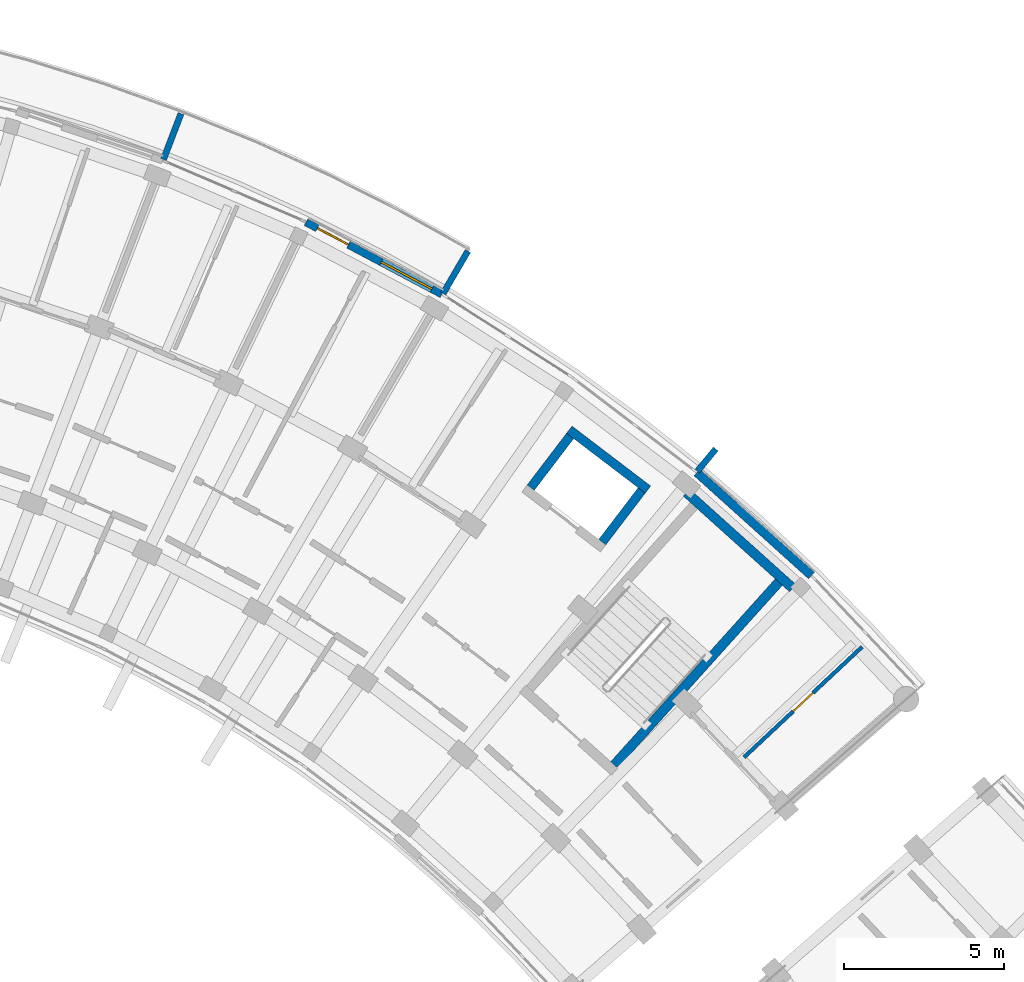
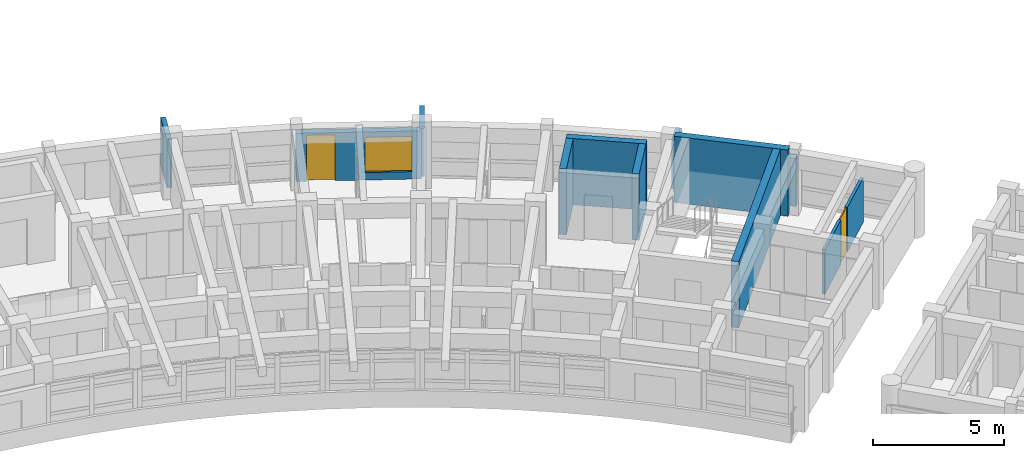
# One storey, part 37 of 55: 11 walls, 2 doors, 1 window, 3 openings.
"""IFC4 building model written with IfcOpenShell, lengths in metres."""

from ifc_helpers import new_model, si_unit, direction, frame, frame_2d, origin, place, context, subcontext, project, spatial, rectangle, extrude, material, layer, layer_set, type_object, element, fill, save


model = new_model("IFC4")

# Units and contexts
model_context = context("Model", 3, precision=1e-05, world=origin(), true_north=direction((0.0, 1.0)))
body_context = subcontext(model_context, "Body", "Model", "MODEL_VIEW")
ifc_project = project(units=[si_unit("LENGTHUNIT", "METRE"), si_unit("AREAUNIT", "SQUARE_METRE"), si_unit("VOLUMEUNIT", "CUBIC_METRE"), si_unit("PLANEANGLEUNIT", "RADIAN"), si_unit("MASSUNIT", "GRAM", prefix="KILO")], contexts=[model_context])

# Site, building, storey
site_placement = place(None, origin())
site = spatial("IfcSite", under=ifc_project, at=site_placement, CompositionType="ELEMENT")
building_placement = place(site_placement, origin())
building = spatial("IfcBuilding", under=site, at=building_placement, Name="Zimvara Arc Housing Community", CompositionType="ELEMENT")
storey_placement = place(building_placement, frame((0.0, 0.0, 14.300048828125)))
storey = spatial("IfcBuildingStorey", under=building, at=storey_placement, Name="L04", CompositionType="ELEMENT", Elevation=14.300048828125)

# Wall, openings, door, window
ifc_material_1 = material(Name="Board-Marked Fair-Faced Concrete C35/45", Category="concrete")
ifc_layer_1 = layer(ifc_material_1, 0.239990234375)
ifc_layer_set_1 = layer_set([ifc_layer_1], Name="Board-Marked Fair-Faced Concrete C35/45")
wall_type_1 = type_object("IfcWallType", Name="EWL-CONC-240", PredefinedType="SOLIDWALL", material=ifc_layer_set_1)
wall_1_placement = place(storey_placement, frame((70.6748046875, 98.04150390625, 0.0), z_axis=(0.0, 0.0, 1.0), x_axis=(0.883448093208, -0.468529045639, 0.0)))
wall_1 = element("IfcWall", 1, at=wall_1_placement, inside=storey, type_object=wall_type_1, Name="ewall:blkB:L04:out:b5", PredefinedType="SOLIDWALL", context=body_context, shape_type="SweptSolid", body=[
    extrude(rectangle(XDim=4.80908203125, YDim=0.239990234375, at=frame_2d((2.404541015625, 0.0))), origin(), (0.0, 0.0, 1.0), 2.25),
])
opening_1_placement = place(wall_1_placement, frame((0.39990234375, 0.0, 0.0)))
opening_1 = element("IfcOpeningElement", 2, at=opening_1_placement, cuts=wall_1, Name="Opening ED06", PredefinedType="OPENING", context=body_context, shape_type="SweptSolid", body=[
    extrude(rectangle(XDim=1.10009765625, YDim=2.14990234375, at=frame_2d((0.550048828125, 1.074951171875))), frame((0.0, 0.1298828125, 0.0), z_axis=(0.0, -1.0, 0.0), x_axis=(1.0, 0.0, 0.0)), (0.0, 0.0, 1.0), 0.260009765625),
])
opening_2_placement = place(wall_1_placement, frame((2.658935546875, 0.0, 0.35009765625)))
opening_2 = element("IfcOpeningElement", 3, at=opening_2_placement, cuts=wall_1, Name="Opening W08", PredefinedType="OPENING", context=body_context, shape_type="SweptSolid", body=[
    extrude(rectangle(XDim=1.800048828125, YDim=1.64990234375, at=frame_2d((0.89990234375, 0.824951171875))), frame((0.0, 0.1298828125, 0.0), z_axis=(0.0, -1.0, 0.0), x_axis=(1.0, 0.0, 0.0)), (0.0, 0.0, 1.0), 0.260009765625),
])
ifc_material_2 = material(Name="Anodised Aluminium AW-6063", Category="aluminium")
door_type_1 = type_object("IfcDoorType", Name="EDR-TERR-1100x2150", OperationType="NOTDEFINED", PredefinedType="DOOR", material=ifc_material_2)
door_1_placement = place(opening_1_placement, origin())
door_1 = element("IfcDoor", 4, at=door_1_placement, inside=storey, type_object=door_type_1, Name="edoor:blkB:L04:bal_out:b5", OperationType="SINGLE_SWING_LEFT", OverallHeight=2.14990234375, OverallWidth=1.10009765625, PredefinedType="DOOR", context=body_context, shape_type="SweptSolid", body=[
    extrude(rectangle(XDim=1.10009765625, YDim=2.14990234375, at=frame_2d((0.550048828125, 1.074951171875))), frame((0.0, 0.02490234375, 0.0), z_axis=(0.0, -1.0, 0.0), x_axis=(1.0, 0.0, 0.0)), (0.0, 0.0, 1.0), 0.050048828125),
])
fill(opening_1, door_1)
ifc_material_3 = material(Name="Solar Control Low-E Double Glazing", Category="glass")
window_type = type_object("IfcWindowType", Name="WIN-RES-1800x1650", PartitioningType="TRIPLE_PANEL_VERTICAL", PredefinedType="WINDOW", material=ifc_material_3)
window_placement = place(opening_2_placement, origin())
window = element("IfcWindow", 5, at=window_placement, inside=storey, type_object=window_type, Name="win:blkB:L04:out:b5:balw", OverallHeight=1.64990234375, OverallWidth=1.800048828125, PartitioningType="TRIPLE_PANEL_VERTICAL", PredefinedType="WINDOW", context=body_context, shape_type="SweptSolid", body=[
    extrude(rectangle(XDim=1.800048828125, YDim=1.64990234375, at=frame_2d((0.89990234375, 0.824951171875))), frame((0.0, 0.030029296875, 0.0), z_axis=(0.0, -1.0, 0.0), x_axis=(1.0, 0.0, 0.0)), (0.0, 0.0, 1.0), 0.06005859375),
])
fill(opening_2, window)

# Walls
ifc_material_4 = material(Name="Board-Marked Fair-Faced Concrete C40/50", Category="concrete")
ifc_layer_2 = layer(ifc_material_4, 0.27490234375)
ifc_layer_set_2 = layer_set([ifc_layer_2], Name="Board-Marked Fair-Faced Concrete C40/50")
wall_type_2 = type_object("IfcWallType", Name="EWL-CONC-275", PredefinedType="SOLIDWALL", material=ifc_layer_set_2)
wall_2_placement = place(storey_placement, frame((82.89697265625, 90.21337890625, 0.0), z_axis=(0.0, 0.0, 1.0), x_axis=(0.743387539862, -0.668860946369, 0.0)))
element("IfcWall", 6, at=wall_2_placement, inside=storey, type_object=wall_type_2, Name="ewall:blkB:L04:out:b8", PredefinedType="SOLIDWALL", context=body_context, shape_type="SweptSolid", body=[
    extrude(rectangle(XDim=4.80908203125, YDim=0.27490234375, at=frame_2d((2.404541015625, 0.0))), origin(), (0.0, 0.0, 1.0), 2.25),
])
ifc_material_5 = material(Name="Board-Marked Fair-Faced Concrete C35/45", Category="concrete")
ifc_layer_3 = layer(ifc_material_5, 0.195068359375)
ifc_layer_set_3 = layer_set([ifc_layer_3], Name="Board-Marked Fair-Faced Concrete C35/45")
wall_type_3 = type_object("IfcWallType", Name="EWL-PARA-195", PredefinedType="PARAPET", material=ifc_layer_set_3)
for number, where, z_axis, x_axis, name in (
    (7, (66.216796875, 100.0029296875, 0.0), (0.0, 0.0, 1.0), (0.356957296461, 0.934120703391, 0.0), "finwall:blkB:L04:out:b4"),
    (8, (74.961181640625, 95.8134765625, 0.0), (0.0, 0.0, 1.0), (0.504228145431, 0.863570481985, 0.0), "finwall:blkB:L04:out:b6"),
):
    element("IfcWall", number, at=place(storey_placement, frame(where, z_axis=z_axis, x_axis=x_axis)), inside=storey, type_object=wall_type_3, Name=name, PredefinedType="PARAPET", context=body_context, shape_type="SweptSolid", body=[
        extrude(rectangle(XDim=1.530029296875, YDim=0.195068359375, at=frame_2d((0.76513671875, 0.0))), origin(), (0.0, 0.0, 1.0), 2.25),
    ])
wall_3_placement = place(storey_placement, frame((82.90771484375, 90.25732421875, 0.0), z_axis=(0.0, 0.0, 1.0), x_axis=(0.637967316825, 0.770063440674, 0.0)))
element("IfcWall", 9, at=wall_3_placement, inside=storey, type_object=wall_type_3, Name="finwall:blkB:L04:out:b8", PredefinedType="PARAPET", context=body_context, shape_type="SweptSolid", body=[
    extrude(rectangle(XDim=0.900146484375, YDim=0.195068359375, at=frame_2d((0.4501953125, 0.0))), origin(), (0.0, 0.0, 1.0), 2.25),
])

# Wall, opening, door
ifc_material_6 = material(Name="Painted Acoustic Plasterboard")
ifc_layer_4 = layer(ifc_material_6, 0.1201171875)
ifc_layer_set_4 = layer_set([ifc_layer_4], Name="Painted Acoustic Plasterboard")
wall_type_4 = type_object("IfcWallType", Name="IWL-PART-120", PredefinedType="PARTITIONING", material=ifc_layer_set_4)
wall_4_placement = place(storey_placement, frame((84.3681640625, 81.315185546875, 0.0), z_axis=(0.0, 0.0, 1.0), x_axis=(0.73037487973, 0.683046510173, 0.0)))
wall_4 = element("IfcWall", 10, at=wall_4_placement, inside=storey, type_object=wall_type_4, Name="iwall:blkB:L04:bed_div:b9", PredefinedType="PARTITIONING", context=body_context, shape_type="SweptSolid", body=[
    extrude(rectangle(XDim=5.050048828125, YDim=0.1201171875, at=frame_2d((2.52490234375, 0.0))), origin(), (0.0, 0.0, 1.0), 2.079833984375),
])
opening_3_placement = place(wall_4_placement, frame((2.10009765625, 0.0, 0.0)))
opening_3 = element("IfcOpeningElement", 11, at=opening_3_placement, cuts=wall_4, Name="Opening D11", PredefinedType="OPENING", context=body_context, shape_type="SweptSolid", body=[
    extrude(rectangle(XDim=0.85009765625, YDim=2.10009765625, at=frame_2d((0.425048828125, 1.050048828125))), frame((0.0, 0.070068359375, 0.0), z_axis=(0.0, -1.0, 0.0), x_axis=(1.0, 0.0, 0.0)), (0.0, 0.0, 1.0), 0.14013671875),
])
ifc_material_7 = material(Name="Mozambican Hardwood", Category="wood")
door_type_2 = type_object("IfcDoorType", Name="IDR-MOD-850x2060", OperationType="NOTDEFINED", PredefinedType="DOOR", material=ifc_material_7)
door_2_placement = place(opening_3_placement, origin())
door_2 = element("IfcDoor", 12, at=door_2_placement, inside=storey, type_object=door_type_2, Name="idoor:blkB:L04:bed_d:b9", OperationType="SINGLE_SWING_RIGHT", OverallHeight=2.10009765625, OverallWidth=0.85009765625, PredefinedType="DOOR", context=body_context, shape_type="SweptSolid", body=[
    extrude(rectangle(XDim=0.85009765625, YDim=2.10009765625, at=frame_2d((0.425048828125, 1.050048828125))), frame((0.0, 0.02490234375, 0.0), z_axis=(0.0, -1.0, 0.0), x_axis=(1.0, 0.0, 0.0)), (0.0, 0.0, 1.0), 0.050048828125),
])
fill(opening_3, door_2)

# Walls
ifc_material_8 = material(Name="Concrete C40/50", Category="concrete")
ifc_layer_5 = layer(ifc_material_8, 0.280029296875)
ifc_layer_set_5 = layer_set([ifc_layer_5], Name="Concrete C40/50")
wall_type_5 = type_object("IfcWallType", Name="WL-CORE-280", PredefinedType="SHEAR", material=ifc_layer_set_5)
wall_5_placement = place(storey_placement, frame((81.361083984375, 89.681396484375, 0.0), z_axis=(0.0, 0.0, 1.0), x_axis=(-0.795502452183, 0.605950368076, 0.0)))
element("IfcWall", 13, at=wall_5_placement, inside=storey, type_object=wall_type_5, Name="lwall:LP-B2:L04:back", PredefinedType="SHEAR", context=body_context, shape_type="SweptSolid", body=[
    extrude(rectangle(XDim=3.08984375, YDim=0.280029296875, at=frame_2d((1.544921875, 0.0))), origin(), (0.0, 0.0, 1.0), 3.099853515625),
])
for number, where, z_axis, x_axis, name in (
    (14, (79.934814453125, 88.0400390625, 0.0), (0.0, 0.0, 1.0), (0.606025097418, 0.795445523779, 0.0), "lwall:LP-B2:L04:left"),
    (15, (77.699462890625, 89.742919921875, 0.0), (0.0, 0.0, 1.0), (0.606025097418, 0.795445523779, 0.0), "lwall:LP-B2:L04:right"),
):
    element("IfcWall", number, at=place(storey_placement, frame(where, z_axis=z_axis, x_axis=x_axis)), inside=storey, type_object=wall_type_5, Name=name, PredefinedType="SHEAR", context=body_context, shape_type="SweptSolid", body=[
        extrude(rectangle(XDim=2.030029296875, YDim=0.280029296875, at=frame_2d((1.01513671875, 0.0))), origin(), (0.0, 0.0, 1.0), 3.099853515625),
    ])
ifc_material_9 = material(Name="Concrete C40/50", Category="concrete")
ifc_layer_6 = layer(ifc_material_9, 0.300048828125)
ifc_layer_set_6 = layer_set([ifc_layer_6], Name="Concrete C40/50")
wall_type_6 = type_object("IfcWallType", Name="WL-CORE-300", PredefinedType="SHEAR", material=ifc_layer_set_6)
wall_6_placement = place(storey_placement, frame((85.887451171875, 86.6005859375, 0.0), z_axis=(0.0, 0.0, 1.0), x_axis=(-0.743400052815, 0.668847038922, 0.0)))
element("IfcWall", 16, at=wall_6_placement, inside=storey, type_object=wall_type_6, Name="cwall:ST-B2:L04:far", PredefinedType="SHEAR", context=body_context, shape_type="SweptSolid", body=[
    extrude(rectangle(XDim=4.469970703125, YDim=0.300048828125, at=frame_2d((2.23486328125, 0.0))), origin(), (0.0, 0.0, 1.0), 3.099853515625),
])
wall_7_placement = place(storey_placement, frame((80.308837890625, 81.073486328125, 0.0), z_axis=(0.0, 0.0, 1.0), x_axis=(0.668885797871, 0.743365179038, 0.0)))
element("IfcWall", 17, at=wall_7_placement, inside=storey, type_object=wall_type_6, Name="cwall:ST-B2:L04:left", PredefinedType="SHEAR", context=body_context, shape_type="SweptSolid", body=[
    extrude(rectangle(XDim=7.690185546875, YDim=0.300048828125, at=frame_2d((3.84521484375, 0.0))), origin(), (0.0, 0.0, 1.0), 3.099853515625),
])

save(model, "model.ifc")
